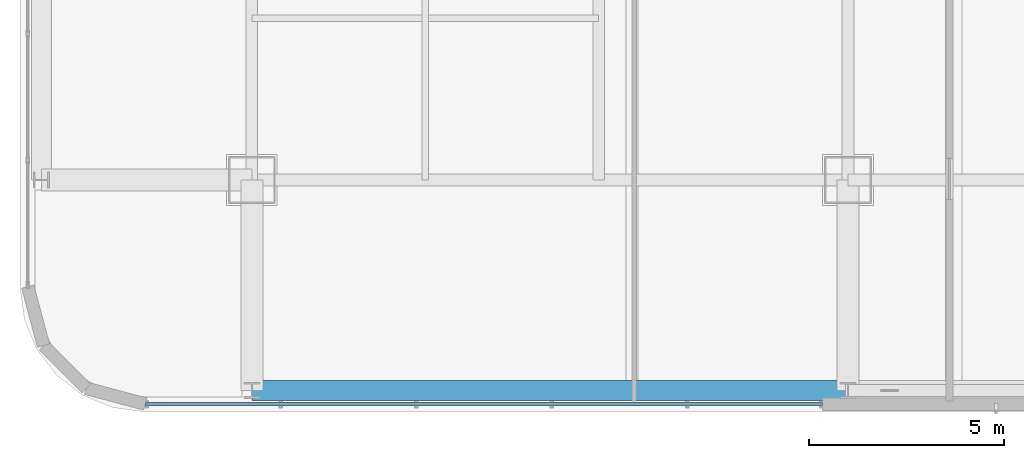
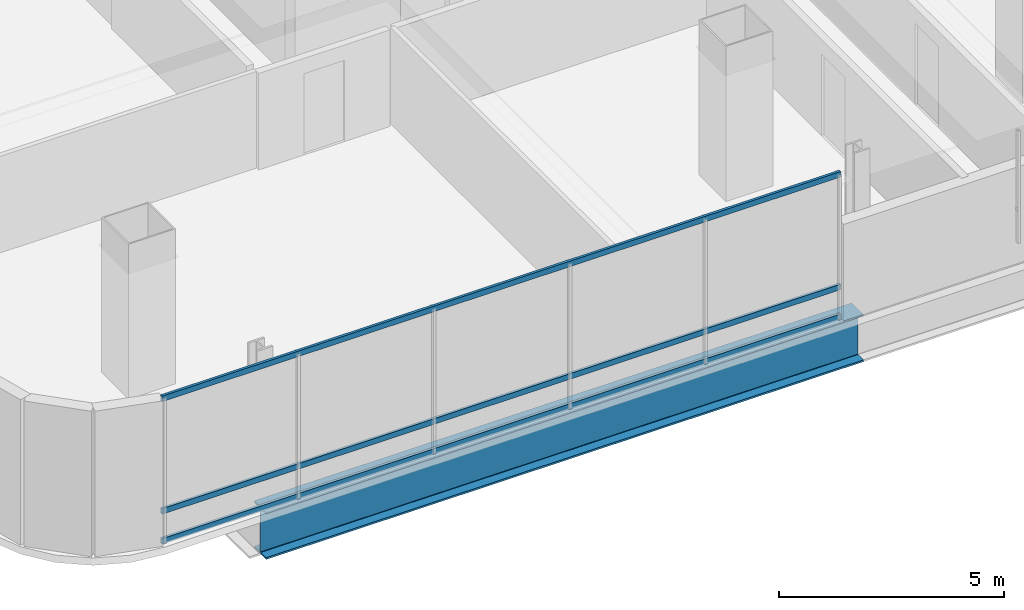
# One storey, part 3 of 46: 3 members, 1 beam, 1 element without a shape of its own.
"""IFC4 building model written with IfcOpenShell, lengths in metres."""

from ifc_helpers import new_model, si_unit, direction, frame, origin, origin_2d, place, context, subcontext, project, spatial, hollow_rectangle, i_section, extrude, material, material_profile, profile_set, type_object, element, aggregate, save


model = new_model("IFC4")

# Units and contexts
model_context = context("Model", 3, precision=1e-05, world=origin(), true_north=direction((0.0, 1.0)))
body_context = subcontext(model_context, "Body", "Model", "MODEL_VIEW")
ifc_project = project(units=[si_unit("LENGTHUNIT", "METRE"), si_unit("AREAUNIT", "SQUARE_METRE"), si_unit("VOLUMEUNIT", "CUBIC_METRE"), si_unit("PLANEANGLEUNIT", "RADIAN"), si_unit("MASSUNIT", "GRAM", prefix="KILO")], contexts=[model_context])

# Site, building, storey
site_placement = place(None, origin())
site = spatial("IfcSite", under=ifc_project, at=site_placement, CompositionType="ELEMENT")
building_placement = place(site_placement, origin())
building = spatial("IfcBuilding", under=site, at=building_placement, Name="Punatoya Terracotta Tower", CompositionType="ELEMENT")
storey_placement = place(building_placement, frame((0.0, 0.0, 330.0)))
storey = spatial("IfcBuildingStorey", under=building, at=storey_placement, Name="L78", CompositionType="ELEMENT", Elevation=330.0)

# Beam
ifc_material_1 = material(Name="Steel S460", Category="steel")
ifc_material_profile_1 = material_profile(ifc_material_1, i_section(OverallWidth=0.52001953125, OverallDepth=1.280029296875, WebThickness=0.031982421875, FlangeThickness=0.050048828125, FilletRadius=0.01806640625, at=origin_2d()))
ifc_profile_set_1 = profile_set([ifc_material_profile_1], Name="Steel S460")
beam_type = type_object("IfcBeamType", Name="BM-TG-NCK", PredefinedType="BEAM", material=ifc_profile_set_1)
beam_placement = place(storey_placement, frame((-19.10009765625, -22.89990234375, -0.840087890625), z_axis=(1.0, 0.0, 0.0), x_axis=(0.0, 1.0, 0.0)))
element("IfcBeam", 1, at=beam_placement, inside=storey, type_object=beam_type, Name="BM-L78-PER-S1", PredefinedType="BEAM", context=body_context, shape_type="SweptSolid", body=[
    extrude(i_section(OverallWidth=0.52001953125, OverallDepth=1.280029296875, WebThickness=0.031982421875, FlangeThickness=0.050048828125, FilletRadius=0.01806640625, at=origin_2d()), origin(), (0.0, 0.0, 1.0), 15.300048828125),
])

# Curtain wall, members
ifc_material_2 = material(Name="Aluminium 6063-T6 + Double Low-E Glass", Category="aluminium")
curtain_wall_type = type_object("IfcCurtainWallType", Name="CW-OBS", PredefinedType="NOTDEFINED", material=ifc_material_2)
curtain_wall_placement = place(storey_placement, origin())
curtain_wall = element("IfcCurtainWall", 2, at=curtain_wall_placement, inside=storey, type_object=curtain_wall_type, Name="L78 Curtain Wall CW-L78-S01-1", PredefinedType="NOTDEFINED")
ifc_material_3 = material(Name="Aluminium 6063-T6", Category="aluminium")
ifc_material_profile_2 = material_profile(ifc_material_3, hollow_rectangle(XDim=0.068115234375, YDim=0.14990234375, WallThickness=0.00390625, at=origin_2d()))
ifc_profile_set_2 = profile_set([ifc_material_profile_2], Name="Aluminium 6063-T6")
member_type = type_object("IfcMemberType", Name="CW-TRN-TYP", PredefinedType="USERDEFINED", material=ifc_profile_set_2)
member_1_placement = place(storey_placement, frame((-21.8369140625, -23.25, 0.0400390625), z_axis=(1.0, 0.0, 0.0), x_axis=(0.0, 1.0, 0.0)))
member_1 = element("IfcMember", 3, at=member_1_placement, type_object=member_type, Name="CW-L78-S01-1 Transom 1", ObjectType="TRANSOM", PredefinedType="USERDEFINED", context=body_context, shape_type="SweptSolid", body=[
    extrude(hollow_rectangle(XDim=0.068115234375, YDim=0.14990234375, WallThickness=0.00390625, at=origin_2d()), origin(), (0.0, 0.0, 1.0), 17.386962890625),
])
member_2_placement = place(storey_placement, frame((-21.8369140625, -23.25, 0.85009765625), z_axis=(1.0, 0.0, 0.0), x_axis=(0.0, 1.0, 0.0)))
member_2 = element("IfcMember", 4, at=member_2_placement, type_object=member_type, Name="CW-L78-S01-1 Transom 2", ObjectType="TRANSOM", PredefinedType="USERDEFINED", context=body_context, shape_type="SweptSolid", body=[
    extrude(hollow_rectangle(XDim=0.068115234375, YDim=0.14990234375, WallThickness=0.00390625, at=origin_2d()), origin(), (0.0, 0.0, 1.0), 17.386962890625),
])
member_3_placement = place(storey_placement, frame((-21.8369140625, -23.25, 3.89990234375), z_axis=(1.0, 0.0, 0.0), x_axis=(0.0, 1.0, 0.0)))
member_3 = element("IfcMember", 5, at=member_3_placement, type_object=member_type, Name="CW-L78-S01-1 Transom 3", ObjectType="TRANSOM", PredefinedType="USERDEFINED", context=body_context, shape_type="SweptSolid", body=[
    extrude(hollow_rectangle(XDim=0.068115234375, YDim=0.14990234375, WallThickness=0.00390625, at=origin_2d()), origin(), (0.0, 0.0, 1.0), 17.386962890625),
])
aggregate(curtain_wall, [member_1, member_2, member_3])

save(model, "model.ifc")
